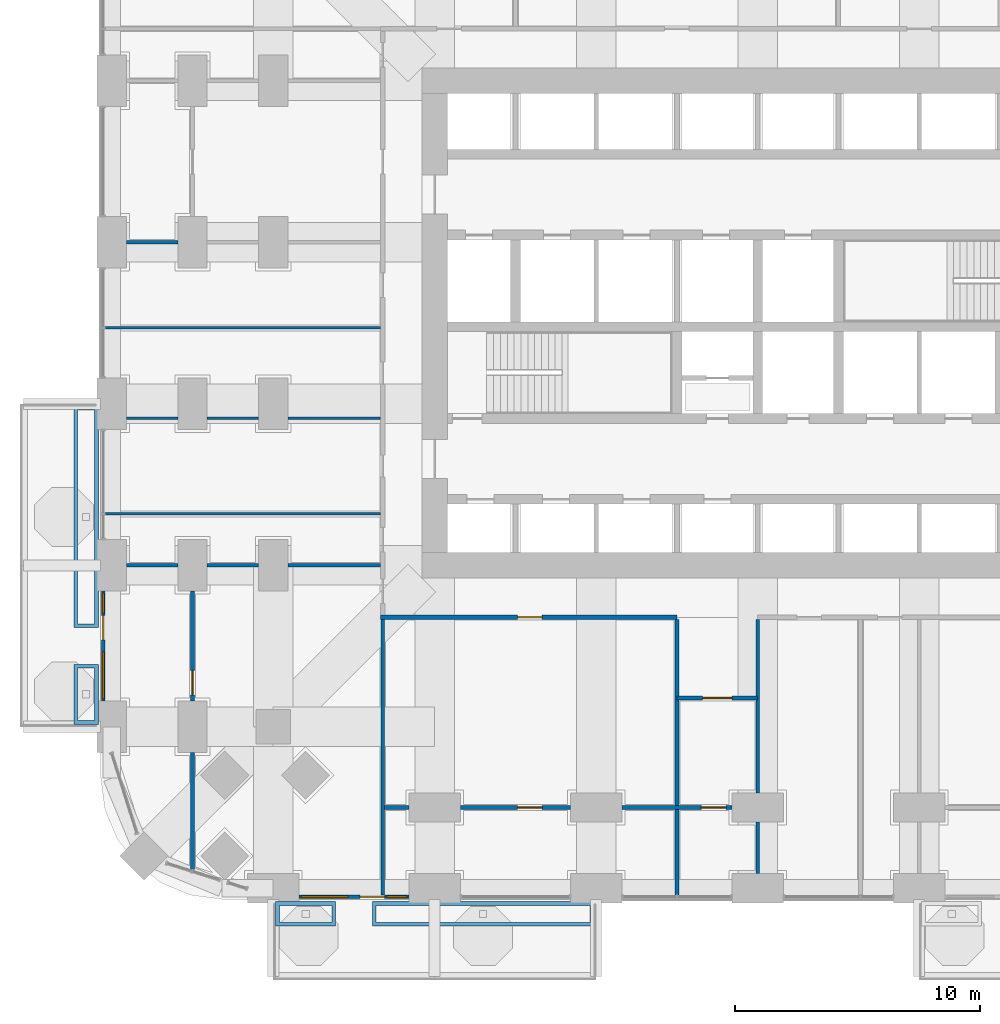
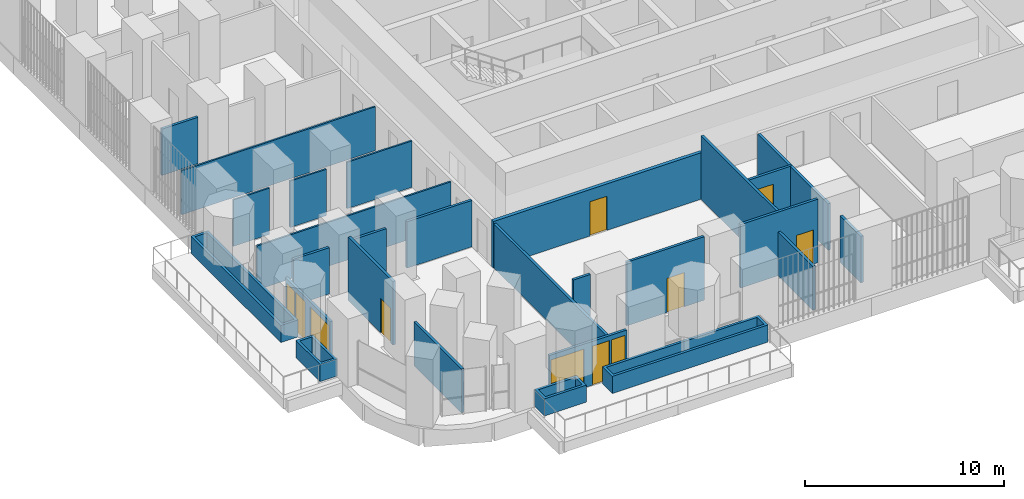
# One storey, part 18 of 27: 27 walls, 7 doors, 4 windows, 11 openings.
"""IFC4 building model written with IfcOpenShell, lengths in metres."""

import ifcopenshell
import ifcopenshell.guid

model = None  # the IFC model being written
_history = None  # IfcOwnerHistory: only IFC2X3 demands one
_inside = {}  # id of a spatial element -> (the spatial element, [elements in it])
_under = {}  # id of a project, library or spatial element -> (it, [spatial elements below it])
_declared = {}  # id of a project -> (the project, [libraries it declares])
_typed = {}  # id of a type object -> (the type object, [elements of that type])
_made_of = {}  # id of a material, layer set ... -> (it, [elements and type objects made of it])


def new_model(schema):
    """Start an empty IFC model of exactly this schema.

    Asked for "IFC4X3", IfcOpenShell would pick the latest addendum, in which some entities
    have other attributes; the version numbers below select the first issue.
    IFC2X3 requires an IfcOwnerHistory on every rooted entity: one is made here for all.
    """
    global model, _history
    if schema == "IFC4X3":
        model = ifcopenshell.file(schema_version=(4, 3, 0, 0))
    else:
        model = ifcopenshell.file(schema=schema)
    _inside.clear()
    _under.clear()
    _declared.clear()
    _typed.clear()
    _made_of.clear()
    _history = None
    if model.schema == "IFC2X3":
        org = make("IfcOrganization", Name="unknown")
        user = make(
            "IfcPersonAndOrganization",
            ThePerson=make("IfcPerson", FamilyName="unknown"),
            TheOrganization=org,
        )
        app = make(
            "IfcApplication",
            ApplicationDeveloper=org,
            Version="unknown",
            ApplicationFullName="unknown",
            ApplicationIdentifier="unknown",
        )
        _history = make(
            "IfcOwnerHistory",
            OwningUser=user,
            OwningApplication=app,
            ChangeAction="ADDED",
            CreationDate=0,
        )
    return model


def make(cls, **values):
    """One entity of the class cls with the attributes given. An attribute that is None is left unset."""
    return model.create_entity(
        cls, **{name: value for name, value in values.items() if value is not None}
    )


def rooted(cls, **values):
    """An entity with a GlobalId (a new one), such as an element, a storey or a relation."""
    return make(cls, GlobalId=ifcopenshell.guid.new(), OwnerHistory=_history, **values)


def si_unit(unit_type, name, prefix=None):
    """IfcSIUnit, for example si_unit("LENGTHUNIT", "METRE", prefix="MILLI")."""
    return make("IfcSIUnit", UnitType=unit_type, Prefix=prefix, Name=name)


def assignment(units):
    """IfcUnitAssignment: the units of a project."""
    return None if units is None else make("IfcUnitAssignment", Units=units)


def point(xyz):
    """IfcCartesianPoint."""
    return None if xyz is None else make("IfcCartesianPoint", Coordinates=xyz)


def direction(xyz):
    """IfcDirection."""
    return None if xyz is None else make("IfcDirection", DirectionRatios=xyz)


def frame(location, z_axis=None, x_axis=None):
    """IfcAxis2Placement3D, a coordinate frame: its origin and axes. An axis left out is left unset."""
    return make(
        "IfcAxis2Placement3D",
        Location=point(location),
        Axis=direction(z_axis),
        RefDirection=direction(x_axis),
    )


def frame_2d(location, x_axis=None):
    """IfcAxis2Placement2D, a coordinate frame in the plane: its origin and x axis."""
    return make(
        "IfcAxis2Placement2D", Location=point(location), RefDirection=direction(x_axis)
    )


def origin():
    """The frame at (0, 0, 0) with its axes left unset."""
    return frame((0.0, 0.0, 0.0))


def place(relative_to, where):
    """IfcLocalPlacement: puts the frame where relative to a parent placement (None: the world)."""
    return make(
        "IfcLocalPlacement", PlacementRelTo=relative_to, RelativePlacement=where
    )


def context(
    kind, dimensions, precision=None, world=None, true_north=None, identifier=None
):
    """IfcGeometricRepresentationContext, for example the 3D "Model" context."""
    return make(
        "IfcGeometricRepresentationContext",
        ContextIdentifier=identifier,
        ContextType=kind,
        CoordinateSpaceDimension=dimensions,
        Precision=precision,
        WorldCoordinateSystem=world,
        TrueNorth=true_north,
    )


def subcontext(parent, identifier, kind, view, scale=None):
    """IfcGeometricRepresentationSubContext, for example "Body" below "Model"."""
    return make(
        "IfcGeometricRepresentationSubContext",
        ContextIdentifier=identifier,
        ContextType=kind,
        ParentContext=parent,
        TargetScale=scale,
        TargetView=view,
    )


def project(units=None, contexts=None):
    """IfcProject with its units and contexts."""
    return rooted(
        "IfcProject",
        Name="project",
        RepresentationContexts=contexts,
        UnitsInContext=assignment(units),
    )


def spatial(cls, under=None, at=None, **own):
    """A site, building, storey or space (cls), placed at a placement, below another one or the project."""
    s = rooted(cls, ObjectPlacement=at, **own)
    if under is not None:
        _under.setdefault(under.id(), (under, []))[1].append(s)
    return s


def polyline(points):
    """IfcPolyline through the points."""
    return make("IfcPolyline", Points=[point(p) for p in points])


def profile(cls, at=None, kind="AREA", **sizes):
    """A parametric profile (cls). Its sizes go by their IFC names, for example OverallWidth=200.0."""
    return make(cls, ProfileType=kind, Position=at, **sizes)


def rectangle(**sizes):
    """IfcRectangleProfileDef."""
    return profile("IfcRectangleProfileDef", **sizes)


def outline(outer, holes=None, kind="AREA"):
    """IfcArbitraryClosedProfileDef: a profile drawn as a closed curve; with holes, ...WithVoids."""
    if holes is None:
        return make("IfcArbitraryClosedProfileDef", ProfileType=kind, OuterCurve=outer)
    return make(
        "IfcArbitraryProfileDefWithVoids",
        ProfileType=kind,
        OuterCurve=outer,
        InnerCurves=holes,
    )


def extrude(swept, where, along, depth):
    """IfcExtrudedAreaSolid: the profile swept, set in the frame where, extruded along a direction by depth."""
    return make(
        "IfcExtrudedAreaSolid",
        SweptArea=swept,
        Position=where,
        ExtrudedDirection=direction(along),
        Depth=depth,
    )


def shape(context_of_items, identifier, shape_type, items):
    """IfcShapeRepresentation: the items that make up one representation, for example the "Body"."""
    return make(
        "IfcShapeRepresentation",
        ContextOfItems=context_of_items,
        RepresentationIdentifier=identifier,
        RepresentationType=shape_type,
        Items=items,
    )


def material(Name=None, Category=None):
    """IfcMaterial."""
    return make("IfcMaterial", Name=Name, Category=Category)


def layer(
    of_material, thickness, ventilated=None, Name=None, Category=None, Priority=None
):
    """IfcMaterialLayer: one layer of a wall or slab, of a material (None: an air gap)."""
    return make(
        "IfcMaterialLayer",
        Material=of_material,
        LayerThickness=thickness,
        IsVentilated=ventilated,
        Name=Name,
        Category=Category,
        Priority=Priority,
    )


def layer_set(layers, Name=None):
    """IfcMaterialLayerSet."""
    return make("IfcMaterialLayerSet", MaterialLayers=layers, LayerSetName=Name)


def made_of(thing, what):
    """Note that an element or type object is made of a material, layer set ...; save() writes the relation."""
    if what is not None:
        _made_of.setdefault(what.id(), (what, []))[1].append(thing)
    return thing


def type_object(cls, material=None, **own):
    """A type object (cls), such as IfcWallType, which elements share."""
    return made_of(rooted(cls, **own), material)


def element(
    cls,
    number,
    at=None,
    inside=None,
    cuts=None,
    type_object=None,
    material=None,
    context=None,
    identifier="Body",
    shape_type=None,
    held_by="IfcProductDefinitionShape",
    body=None,
    shapes=None,
    **own,
):
    """One element of the class cls, such as IfcWall. Its Tag is "e" and its number.

    at: its placement. inside: the storey or other place that contains it. cuts: it is an
    opening in that element (IfcRelVoidsElement). A single representation is given by context,
    identifier, shape_type and body (its items); several are given by shapes. held_by: the class
    of the entity that holds the representations. save() writes the other relations.
    """
    e = rooted(cls, Tag="e%d" % number, ObjectPlacement=at, **own)
    if body is not None:
        shapes = [shape(context, identifier, shape_type, body)]
    if shapes is not None:
        e.Representation = make(held_by, Representations=shapes)
    if inside is not None:
        _inside.setdefault(inside.id(), (inside, []))[1].append(e)
    if cuts is not None:
        rooted(
            "IfcRelVoidsElement", RelatingBuildingElement=cuts, RelatedOpeningElement=e
        )
    if type_object is not None:
        _typed.setdefault(type_object.id(), (type_object, []))[1].append(e)
    return made_of(e, material)


def fill(opening, filler):
    """IfcRelFillsElement: the door or window that sits in an opening."""
    return rooted(
        "IfcRelFillsElement",
        RelatingOpeningElement=opening,
        RelatedBuildingElement=filler,
    )


def aggregate(whole, parts):
    """IfcRelAggregates: a whole, such as a stair, and the parts it consists of."""
    return rooted("IfcRelAggregates", RelatingObject=whole, RelatedObjects=parts)


def save(model, path):
    """Write the relations noted so far, then the file.

    IfcRelAggregates (storeys below a building ...), IfcRelContainedInSpatialStructure (elements
    in a storey), IfcRelDefinesByType, IfcRelAssociatesMaterial and IfcRelDeclares: one each for
    every whole, place, type object, material and project.
    """
    for whole, parts in _under.values():
        aggregate(whole, parts)
    for where, things in _inside.values():
        rooted(
            "IfcRelContainedInSpatialStructure",
            RelatedElements=things,
            RelatingStructure=where,
        )
    for kind, things in _typed.values():
        rooted("IfcRelDefinesByType", RelatedObjects=things, RelatingType=kind)
    for what, things in _made_of.values():
        rooted("IfcRelAssociatesMaterial", RelatedObjects=things, RelatingMaterial=what)
    for by, libraries in _declared.values():
        rooted("IfcRelDeclares", RelatingContext=by, RelatedDefinitions=libraries)
    model.write(path)


model = new_model("IFC4")

# Units and contexts
model_context = context("Model", 3, precision=1e-05, world=origin(), true_north=direction((0.0, 1.0)))
body_context = subcontext(model_context, "Body", "Model", "MODEL_VIEW")
ifc_project = project(units=[si_unit("LENGTHUNIT", "METRE"), si_unit("AREAUNIT", "SQUARE_METRE"), si_unit("VOLUMEUNIT", "CUBIC_METRE"), si_unit("PLANEANGLEUNIT", "RADIAN"), si_unit("MASSUNIT", "GRAM", prefix="KILO")], contexts=[model_context])

# Site, building, storey
site_placement = place(None, origin())
site = spatial("IfcSite", under=ifc_project, at=site_placement, CompositionType="ELEMENT")
building_placement = place(site_placement, origin())
building = spatial("IfcBuilding", under=site, at=building_placement, Name="Cobogo Forest Laboratory Tower", CompositionType="ELEMENT")
storey_placement = place(building_placement, frame((0.0, 0.0, 54.89990234375)))
storey = spatial("IfcBuildingStorey", under=building, at=storey_placement, Name="L12", CompositionType="ELEMENT", Elevation=54.89990234375)

# Wall, openings, door, windows
ifc_material_1 = material(Name="Aluminium framed glazed screen", Category="aluminium")
ifc_layer_1 = layer(ifc_material_1, 0.14990234375)
ifc_layer_set_1 = layer_set([ifc_layer_1], Name="GS1 glazed door screen 150")
wall_type_1 = type_object("IfcWallType", Name="GS1 glazed door screen 150", PredefinedType="SOLIDWALL", material=ifc_layer_set_1)
wall_1_placement = place(storey_placement, frame((7.64990234375, -0.35009765625, 0.0), z_axis=(0.0, 0.0, 1.0), x_axis=(1.0, 0.0, 0.0)))
wall_1 = element("IfcWall", 1, at=wall_1_placement, inside=storey, type_object=wall_type_1, Name="Door screen BAL-S1 L12", PredefinedType="SOLIDWALL", context=body_context, shape_type="SweptSolid", body=[
    extrude(rectangle(XDim=4.5, YDim=0.14990234375, at=frame_2d((2.25, 0.0))), origin(), (0.0, 0.0, 1.0), 2.7001953125),
])
opening_1_placement = place(wall_1_placement, frame((2.5, 0.0, 0.0)))
opening_1 = element("IfcOpeningElement", 2, at=opening_1_placement, cuts=wall_1, Name="Opening L12-D01", PredefinedType="OPENING", context=body_context, shape_type="SweptSolid", body=[
    extrude(rectangle(XDim=1.0, YDim=2.39990234375, at=frame_2d((0.5, 1.199951171875))), frame((0.0, 0.0849609375, 0.0), z_axis=(0.0, -1.0, 0.0), x_axis=(1.0, 0.0, 0.0)), (0.0, 0.0, 1.0), 0.169921875),
])
opening_2_placement = place(wall_1_placement, frame((0.10009765625, 0.0, 0.10009765625)))
opening_2 = element("IfcOpeningElement", 3, at=opening_2_placement, cuts=wall_1, Name="Opening L12-W01", PredefinedType="OPENING", context=body_context, shape_type="SweptSolid", body=[
    extrude(rectangle(XDim=1.89990234375, YDim=2.300048828125, at=frame_2d((0.949951171875, 1.14990234375))), frame((0.0, 0.0849609375, 0.0), z_axis=(0.0, -1.0, 0.0), x_axis=(1.0, 0.0, 0.0)), (0.0, 0.0, 1.0), 0.169921875),
])
opening_3_placement = place(wall_1_placement, frame((3.60009765625, 0.0, 0.10009765625)))
opening_3 = element("IfcOpeningElement", 4, at=opening_3_placement, cuts=wall_1, Name="Opening L12-W02", PredefinedType="OPENING", context=body_context, shape_type="SweptSolid", body=[
    extrude(rectangle(XDim=0.800048828125, YDim=2.300048828125, at=frame_2d((0.39990234375, 1.14990234375))), frame((0.0, 0.0849609375, 0.0), z_axis=(0.0, -1.0, 0.0), x_axis=(1.0, 0.0, 0.0)), (0.0, 0.0, 1.0), 0.169921875),
])
ifc_material_2 = material(Name="Aluminium glazed door", Category="aluminium")
door_type_1 = type_object("IfcDoorType", Name="DB1 balcony door 1000 glazed", OperationType="SINGLE_SWING_LEFT", PredefinedType="DOOR", material=ifc_material_2)
door_1_placement = place(opening_1_placement, origin())
door_1 = element("IfcDoor", 5, at=door_1_placement, inside=storey, type_object=door_type_1, Name="Door L12-BAL-S1", OperationType="SINGLE_SWING_RIGHT", OverallHeight=2.39990234375, OverallWidth=1.0, PredefinedType="DOOR", context=body_context, shape_type="SweptSolid", body=[
    extrude(rectangle(XDim=1.0, YDim=2.39990234375, at=frame_2d((0.5, 1.199951171875))), frame((0.0, 0.02490234375, 0.0), z_axis=(0.0, -1.0, 0.0), x_axis=(1.0, 0.0, 0.0)), (0.0, 0.0, 1.0), 0.050048828125),
])
fill(opening_1, door_1)
ifc_material_3 = material(Name="Aluminium framed glazing", Category="aluminium")
window_type_1 = type_object("IfcWindowType", Name="WG3 fixed glazed light 1900x2300", PartitioningType="SINGLE_PANEL", PredefinedType="WINDOW", material=ifc_material_3)
window_1_placement = place(opening_2_placement, origin())
window_1 = element("IfcWindow", 6, at=window_1_placement, inside=storey, type_object=window_type_1, Name="Window L12-BAL-S1-1", OverallHeight=2.300048828125, OverallWidth=1.89990234375, PartitioningType="SINGLE_PANEL", PredefinedType="WINDOW", context=body_context, shape_type="SweptSolid", body=[
    extrude(rectangle(XDim=1.89990234375, YDim=2.300048828125, at=frame_2d((0.949951171875, 1.14990234375))), frame((0.0, 0.030029296875, 0.0), z_axis=(0.0, -1.0, 0.0), x_axis=(1.0, 0.0, 0.0)), (0.0, 0.0, 1.0), 0.06005859375),
])
fill(opening_2, window_1)
window_type_2 = type_object("IfcWindowType", Name="WG4 fixed glazed light 800x2300", PartitioningType="SINGLE_PANEL", PredefinedType="WINDOW", material=ifc_material_3)
window_2_placement = place(opening_3_placement, origin())
window_2 = element("IfcWindow", 7, at=window_2_placement, inside=storey, type_object=window_type_2, Name="Window L12-BAL-S1-2", OverallHeight=2.300048828125, OverallWidth=0.800048828125, PartitioningType="SINGLE_PANEL", PredefinedType="WINDOW", context=body_context, shape_type="SweptSolid", body=[
    extrude(rectangle(XDim=0.800048828125, YDim=2.300048828125, at=frame_2d((0.39990234375, 1.14990234375))), frame((0.0, 0.030029296875, 0.0), z_axis=(0.0, -1.0, 0.0), x_axis=(1.0, 0.0, 0.0)), (0.0, 0.0, 1.0), 0.06005859375),
])
fill(opening_3, window_2)

wall_2_placement = place(storey_placement, frame((-0.35009765625, 12.14990234375, 0.0), z_axis=(0.0, 0.0, 1.0), x_axis=(0.0, -1.0, 0.0)))
wall_2 = element("IfcWall", 8, at=wall_2_placement, inside=storey, type_object=wall_type_1, Name="Door screen BAL-W1 L12", PredefinedType="SOLIDWALL", context=body_context, shape_type="SweptSolid", body=[
    extrude(rectangle(XDim=4.5, YDim=0.14990234375, at=frame_2d((2.25, 0.0))), origin(), (0.0, 0.0, 1.0), 2.7001953125),
])
opening_4_placement = place(wall_2_placement, frame((1.0, 0.0, 0.0)))
opening_4 = element("IfcOpeningElement", 9, at=opening_4_placement, cuts=wall_2, Name="Opening L12-D08", PredefinedType="OPENING", context=body_context, shape_type="SweptSolid", body=[
    extrude(rectangle(XDim=1.0, YDim=2.39990234375, at=frame_2d((0.5, 1.199951171875))), frame((0.0, 0.0849609375, 0.0), z_axis=(0.0, -1.0, 0.0), x_axis=(1.0, 0.0, 0.0)), (0.0, 0.0, 1.0), 0.169921875),
])
opening_5_placement = place(wall_2_placement, frame((0.10009765625, 0.0, 0.10009765625)))
opening_5 = element("IfcOpeningElement", 10, at=opening_5_placement, cuts=wall_2, Name="Opening L12-W07", PredefinedType="OPENING", context=body_context, shape_type="SweptSolid", body=[
    extrude(rectangle(XDim=0.800048828125, YDim=2.300048828125, at=frame_2d((0.39990234375, 1.14990234375))), frame((0.0, 0.0849609375, 0.0), z_axis=(0.0, -1.0, 0.0), x_axis=(1.0, 0.0, 0.0)), (0.0, 0.0, 1.0), 0.169921875),
])
opening_6_placement = place(wall_2_placement, frame((2.5, 0.0, 0.10009765625)))
opening_6 = element("IfcOpeningElement", 11, at=opening_6_placement, cuts=wall_2, Name="Opening L12-W05", PredefinedType="OPENING", context=body_context, shape_type="SweptSolid", body=[
    extrude(rectangle(XDim=1.89990234375, YDim=2.300048828125, at=frame_2d((0.949951171875, 1.14990234375))), frame((0.0, 0.0849609375, 0.0), z_axis=(0.0, -1.0, 0.0), x_axis=(1.0, 0.0, 0.0)), (0.0, 0.0, 1.0), 0.169921875),
])
door_2_placement = place(opening_4_placement, origin())
door_2 = element("IfcDoor", 12, at=door_2_placement, inside=storey, type_object=door_type_1, Name="Door L12-BAL-W1", OperationType="SINGLE_SWING_LEFT", OverallHeight=2.39990234375, OverallWidth=1.0, PredefinedType="DOOR", context=body_context, shape_type="SweptSolid", body=[
    extrude(rectangle(XDim=1.0, YDim=2.39990234375, at=frame_2d((0.5, 1.199951171875))), frame((0.0, 0.02490234375, 0.0), z_axis=(0.0, -1.0, 0.0), x_axis=(1.0, 0.0, 0.0)), (0.0, 0.0, 1.0), 0.050048828125),
])
fill(opening_4, door_2)
window_3_placement = place(opening_6_placement, origin())
window_3 = element("IfcWindow", 13, at=window_3_placement, inside=storey, type_object=window_type_1, Name="Window L12-BAL-W1-2", OverallHeight=2.300048828125, OverallWidth=1.89990234375, PartitioningType="SINGLE_PANEL", PredefinedType="WINDOW", context=body_context, shape_type="SweptSolid", body=[
    extrude(rectangle(XDim=1.89990234375, YDim=2.300048828125, at=frame_2d((0.949951171875, 1.14990234375))), frame((0.0, 0.030029296875, 0.0), z_axis=(0.0, -1.0, 0.0), x_axis=(1.0, 0.0, 0.0)), (0.0, 0.0, 1.0), 0.06005859375),
])
fill(opening_6, window_3)
window_4_placement = place(opening_5_placement, origin())
window_4 = element("IfcWindow", 14, at=window_4_placement, inside=storey, type_object=window_type_2, Name="Window L12-BAL-W1-1", OverallHeight=2.300048828125, OverallWidth=0.800048828125, PartitioningType="SINGLE_PANEL", PredefinedType="WINDOW", context=body_context, shape_type="SweptSolid", body=[
    extrude(rectangle(XDim=0.800048828125, YDim=2.300048828125, at=frame_2d((0.39990234375, 1.14990234375))), frame((0.0, 0.030029296875, 0.0), z_axis=(0.0, -1.0, 0.0), x_axis=(1.0, 0.0, 0.0)), (0.0, 0.0, 1.0), 0.06005859375),
])
fill(opening_5, window_4)

# Walls
ifc_material_4 = material(Name="Gypsum board on steel studs", Category="steel")
ifc_layer_2 = layer(ifc_material_4, 0.14990234375)
ifc_layer_set_2 = layer_set([ifc_layer_2], Name="PT1 laboratory partition 150")
wall_type_2 = type_object("IfcWallType", Name="PT1 laboratory partition 150", PredefinedType="PARTITIONING", material=ifc_layer_set_2)
wall_3_placement = place(storey_placement, frame((11.074951171875, -0.27001953125, 0.0), z_axis=(0.0, 0.0, 1.0), x_axis=(0.0, 1.0, 0.0)))
element("IfcWall", 15, at=wall_3_placement, inside=storey, type_object=wall_type_2, Name="Partition PW-SW L12", PredefinedType="PARTITIONING", context=body_context, shape_type="SweptSolid", body=[
    extrude(rectangle(XDim=11.2451171875, YDim=0.14990234375, at=frame_2d((5.62255859375, 0.0))), origin(), (0.0, 0.0, 1.0), 2.7001953125),
])
wall_4_placement = place(storey_placement, frame((11.14990234375, 3.300048828125, 0.0), z_axis=(0.0, 0.0, 1.0), x_axis=(1.0, 0.0, 0.0)))
element("IfcWall", 16, at=wall_4_placement, inside=storey, type_object=wall_type_2, Name="Partition STRIP-S-1 L12", PredefinedType="PARTITIONING", context=body_context, shape_type="SweptSolid", body=[
    extrude(rectangle(XDim=1.0, YDim=0.14990234375, at=frame_2d((0.5, 0.0))), origin(), (0.0, 0.0, 1.0), 3.900146484375),
])

# Wall, opening, door
wall_5_placement = place(storey_placement, frame((14.25, 3.300048828125, 0.0), z_axis=(0.0, 0.0, 1.0), x_axis=(1.0, 0.0, 0.0)))
wall_5 = element("IfcWall", 17, at=wall_5_placement, inside=storey, type_object=wall_type_2, Name="Partition STRIP-S-2 L12", PredefinedType="PARTITIONING", context=body_context, shape_type="SweptSolid", body=[
    extrude(rectangle(XDim=4.5, YDim=0.14990234375, at=frame_2d((2.25, 0.0))), origin(), (0.0, 0.0, 1.0), 3.900146484375),
])
opening_7_placement = place(wall_5_placement, frame((2.33740234375, 0.0, 0.0)))
opening_7 = element("IfcOpeningElement", 18, at=opening_7_placement, cuts=wall_5, Name="Opening L12-D03", PredefinedType="OPENING", context=body_context, shape_type="SweptSolid", body=[
    extrude(rectangle(XDim=1.0, YDim=2.10009765625, at=frame_2d((0.5, 1.050048828125))), frame((0.0, 0.0849609375, 0.0), z_axis=(0.0, -1.0, 0.0), x_axis=(1.0, 0.0, 0.0)), (0.0, 0.0, 1.0), 0.169921875),
])
ifc_material_5 = material(Name="Timber fire door", Category="wood")
door_type_2 = type_object("IfcDoorType", Name="FD2 fire door 1000 EI2 30", OperationType="SINGLE_SWING_LEFT", PredefinedType="DOOR", material=ifc_material_5)
door_3_placement = place(opening_7_placement, origin())
door_3 = element("IfcDoor", 19, at=door_3_placement, inside=storey, type_object=door_type_2, Name="Door L12-S1W", OperationType="SINGLE_SWING_RIGHT", OverallHeight=2.10009765625, OverallWidth=1.0, PredefinedType="DOOR", context=body_context, shape_type="SweptSolid", body=[
    extrude(rectangle(XDim=1.0, YDim=2.10009765625, at=frame_2d((0.5, 1.050048828125))), frame((0.0, 0.02490234375, 0.0), z_axis=(0.0, -1.0, 0.0), x_axis=(1.0, 0.0, 0.0)), (0.0, 0.0, 1.0), 0.050048828125),
])
fill(opening_7, door_3)

wall_6_placement = place(storey_placement, frame((20.85009765625, 3.300048828125, 0.0), z_axis=(0.0, 0.0, 1.0), x_axis=(1.0, 0.0, 0.0)))
wall_6 = element("IfcWall", 20, at=wall_6_placement, inside=storey, type_object=wall_type_2, Name="Partition STRIP-S-3 L12", PredefinedType="PARTITIONING", context=body_context, shape_type="SweptSolid", body=[
    extrude(rectangle(XDim=4.5, YDim=0.14990234375, at=frame_2d((2.25, 0.0))), origin(), (0.0, 0.0, 1.0), 3.900146484375),
])
opening_8_placement = place(wall_6_placement, frame((3.25, 0.0, 0.0)))
opening_8 = element("IfcOpeningElement", 21, at=opening_8_placement, cuts=wall_6, Name="Opening L12-D04", PredefinedType="OPENING", context=body_context, shape_type="SweptSolid", body=[
    extrude(rectangle(XDim=1.0, YDim=2.10009765625, at=frame_2d((0.5, 1.050048828125))), frame((0.0, 0.0849609375, 0.0), z_axis=(0.0, -1.0, 0.0), x_axis=(1.0, 0.0, 0.0)), (0.0, 0.0, 1.0), 0.169921875),
])
door_4_placement = place(opening_8_placement, origin())
door_4 = element("IfcDoor", 22, at=door_4_placement, inside=storey, type_object=door_type_2, Name="Door L12-S2W", OperationType="SINGLE_SWING_RIGHT", OverallHeight=2.10009765625, OverallWidth=1.0, PredefinedType="DOOR", context=body_context, shape_type="SweptSolid", body=[
    extrude(rectangle(XDim=1.0, YDim=2.10009765625, at=frame_2d((0.5, 1.050048828125))), frame((0.0, 0.02490234375, 0.0), z_axis=(0.0, -1.0, 0.0), x_axis=(1.0, 0.0, 0.0)), (0.0, 0.0, 1.0), 0.050048828125),
])
fill(opening_8, door_4)

wall_7_placement = place(storey_placement, frame((23.10009765625, 7.77490234375, 0.0), z_axis=(0.0, 0.0, 1.0), x_axis=(1.0, 0.0, 0.0)))
wall_7 = element("IfcWall", 23, at=wall_7_placement, inside=storey, type_object=wall_type_2, Name="Partition NODE-S-1 L12", PredefinedType="PARTITIONING", context=body_context, shape_type="SweptSolid", body=[
    extrude(rectangle(XDim=3.2998046875, YDim=0.14990234375, at=frame_2d((1.64990234375, 0.0))), origin(), (0.0, 0.0, 1.0), 2.85009765625),
])
opening_9_placement = place(wall_7_placement, frame((1.050048828125, 0.0, 0.0)))
opening_9 = element("IfcOpeningElement", 24, at=opening_9_placement, cuts=wall_7, Name="Opening L12-D06", PredefinedType="OPENING", context=body_context, shape_type="SweptSolid", body=[
    extrude(rectangle(XDim=1.199951171875, YDim=2.10009765625, at=frame_2d((0.60009765625, 1.050048828125))), frame((0.0, 0.0849609375, 0.0), z_axis=(0.0, -1.0, 0.0), x_axis=(1.0, 0.0, 0.0)), (0.0, 0.0, 1.0), 0.169921875),
])
ifc_material_6 = material(Name="Timber door", Category="wood")
door_type_3 = type_object("IfcDoorType", Name="D2 laboratory door 1200 unequal pair", OperationType="DOUBLE_DOOR_SINGLE_SWING", PredefinedType="DOOR", material=ifc_material_6)
door_5_placement = place(opening_9_placement, origin())
door_5 = element("IfcDoor", 25, at=door_5_placement, inside=storey, type_object=door_type_3, Name="Door L12-S2", OperationType="DOUBLE_DOOR_SINGLE_SWING", OverallHeight=2.10009765625, OverallWidth=1.199951171875, PredefinedType="DOOR", context=body_context, shape_type="SweptSolid", body=[
    extrude(rectangle(XDim=1.199951171875, YDim=2.10009765625, at=frame_2d((0.60009765625, 1.050048828125))), frame((0.0, 0.02490234375, 0.0), z_axis=(0.0, -1.0, 0.0), x_axis=(1.0, 0.0, 0.0)), (0.0, 0.0, 1.0), 0.050048828125),
])
fill(opening_9, door_5)

# Walls
wall_8_placement = place(storey_placement, frame((23.10009765625, -0.27001953125, 0.0), z_axis=(0.0, 0.0, 1.0), x_axis=(0.0, 1.0, 0.0)))
element("IfcWall", 26, at=wall_8_placement, inside=storey, type_object=wall_type_2, Name="Partition CUT-S23.1a-1 L12", PredefinedType="PARTITIONING", context=body_context, shape_type="SweptSolid", body=[
    extrude(rectangle(XDim=3.4951171875, YDim=0.14990234375, at=frame_2d((1.74755859375, 0.0))), origin(), (0.0, 0.0, 1.0), 2.7001953125),
])
wall_9_placement = place(storey_placement, frame((23.10009765625, 3.375, 0.0), z_axis=(0.0, 0.0, 1.0), x_axis=(0.0, 1.0, 0.0)))
element("IfcWall", 27, at=wall_9_placement, inside=storey, type_object=wall_type_2, Name="Partition CUT-S23.1b-1 L12", PredefinedType="PARTITIONING", context=body_context, shape_type="SweptSolid", body=[
    extrude(rectangle(XDim=7.60009765625, YDim=0.14990234375, at=frame_2d((3.800048828125, 0.0))), origin(), (0.0, 0.0, 1.0), 3.900146484375),
])
wall_10_placement = place(storey_placement, frame((26.39990234375, 0.60009765625, 0.0), z_axis=(0.0, 0.0, 1.0), x_axis=(0.0, 1.0, 0.0)))
element("IfcWall", 28, at=wall_10_placement, inside=storey, type_object=wall_type_2, Name="Partition CUT-S26.4-1 L12", PredefinedType="PARTITIONING", context=body_context, shape_type="SweptSolid", body=[
    extrude(rectangle(XDim=2.099853515625, YDim=0.14990234375, at=frame_2d((1.0498046875, 0.0))), origin(), (0.0, 0.0, 1.0), 2.85009765625),
])
wall_11_placement = place(storey_placement, frame((26.39990234375, 3.89990234375, 0.0), z_axis=(0.0, 0.0, 1.0), x_axis=(0.0, 1.0, 0.0)))
element("IfcWall", 29, at=wall_11_placement, inside=storey, type_object=wall_type_2, Name="Partition CUT-S26.4-2 L12", PredefinedType="PARTITIONING", context=body_context, shape_type="SweptSolid", body=[
    extrude(rectangle(XDim=7.0751953125, YDim=0.14990234375, at=frame_2d((3.53759765625, 0.0))), origin(), (0.0, 0.0, 1.0), 2.85009765625),
])

# Wall, opening, door
wall_12_placement = place(storey_placement, frame((3.300048828125, 12.14990234375, 0.0), z_axis=(0.0, 0.0, 1.0), x_axis=(0.0, -1.0, 0.0)))
wall_12 = element("IfcWall", 30, at=wall_12_placement, inside=storey, type_object=wall_type_2, Name="Partition STRIP-W-2 L12", PredefinedType="PARTITIONING", context=body_context, shape_type="SweptSolid", body=[
    extrude(rectangle(XDim=4.5, YDim=0.14990234375, at=frame_2d((2.25, 0.0))), origin(), (0.0, 0.0, 1.0), 3.900146484375),
])
opening_10_placement = place(wall_12_placement, frame((3.25, 0.0, 0.0)))
opening_10 = element("IfcOpeningElement", 31, at=opening_10_placement, cuts=wall_12, Name="Opening L12-D07", PredefinedType="OPENING", context=body_context, shape_type="SweptSolid", body=[
    extrude(rectangle(XDim=1.0, YDim=2.10009765625, at=frame_2d((0.5, 1.050048828125))), frame((0.0, 0.0849609375, 0.0), z_axis=(0.0, -1.0, 0.0), x_axis=(1.0, 0.0, 0.0)), (0.0, 0.0, 1.0), 0.169921875),
])
door_6_placement = place(opening_10_placement, origin())
door_6 = element("IfcDoor", 32, at=door_6_placement, inside=storey, type_object=door_type_2, Name="Door L12-W1W", OperationType="SINGLE_SWING_RIGHT", OverallHeight=2.10009765625, OverallWidth=1.0, PredefinedType="DOOR", context=body_context, shape_type="SweptSolid", body=[
    extrude(rectangle(XDim=1.0, YDim=2.10009765625, at=frame_2d((0.5, 1.050048828125))), frame((0.0, 0.02490234375, 0.0), z_axis=(0.0, -1.0, 0.0), x_axis=(1.0, 0.0, 0.0)), (0.0, 0.0, 1.0), 0.050048828125),
])
fill(opening_10, door_6)

# Walls
wall_13_placement = place(storey_placement, frame((3.300048828125, 5.550048828125, 0.0), z_axis=(0.0, 0.0, 1.0), x_axis=(0.0, -1.0, 0.0)))
element("IfcWall", 33, at=wall_13_placement, inside=storey, type_object=wall_type_2, Name="Partition STRIP-W-3 L12", PredefinedType="PARTITIONING", context=body_context, shape_type="SweptSolid", body=[
    extrude(rectangle(XDim=4.77392578125, YDim=0.14990234375, at=frame_2d((2.386962890625, 0.0))), origin(), (0.0, 0.0, 1.0), 2.7001953125),
])
wall_14_placement = place(storey_placement, frame((0.60009765625, 13.199951171875, 0.0), z_axis=(0.0, 0.0, 1.0), x_axis=(1.0, 0.0, 0.0)))
element("IfcWall", 34, at=wall_14_placement, inside=storey, type_object=wall_type_2, Name="Partition CUT-W13.2-1 L12", PredefinedType="PARTITIONING", context=body_context, shape_type="SweptSolid", body=[
    extrude(rectangle(XDim=2.099853515625, YDim=0.14990234375, at=frame_2d((1.0498046875, 0.0))), origin(), (0.0, 0.0, 1.0), 2.85009765625),
])
wall_15_placement = place(storey_placement, frame((3.89990234375, 13.199951171875, 0.0), z_axis=(0.0, 0.0, 1.0), x_axis=(1.0, 0.0, 0.0)))
element("IfcWall", 35, at=wall_15_placement, inside=storey, type_object=wall_type_2, Name="Partition CUT-W13.2-2 L12", PredefinedType="PARTITIONING", context=body_context, shape_type="SweptSolid", body=[
    extrude(rectangle(XDim=2.10009765625, YDim=0.14990234375, at=frame_2d((1.050048828125, 0.0))), origin(), (0.0, 0.0, 1.0), 2.85009765625),
])
wall_16_placement = place(storey_placement, frame((7.199951171875, 13.199951171875, 0.0), z_axis=(0.0, 0.0, 1.0), x_axis=(1.0, 0.0, 0.0)))
element("IfcWall", 36, at=wall_16_placement, inside=storey, type_object=wall_type_2, Name="Partition CUT-W13.2-3 L12", PredefinedType="PARTITIONING", context=body_context, shape_type="SweptSolid", body=[
    extrude(rectangle(XDim=3.775146484375, YDim=0.14990234375, at=frame_2d((1.8876953125, 0.0))), origin(), (0.0, 0.0, 1.0), 2.85009765625),
])
wall_17_placement = place(storey_placement, frame((0.60009765625, 26.39990234375, 0.0), z_axis=(0.0, 0.0, 1.0), x_axis=(1.0, 0.0, 0.0)))
element("IfcWall", 37, at=wall_17_placement, inside=storey, type_object=wall_type_2, Name="Partition CUT-W26.4-1 L12", PredefinedType="PARTITIONING", context=body_context, shape_type="SweptSolid", body=[
    extrude(rectangle(XDim=2.099853515625, YDim=0.14990234375, at=frame_2d((1.0498046875, 0.0))), origin(), (0.0, 0.0, 1.0), 2.85009765625),
])

# Wall, opening, door
ifc_layer_3 = layer(ifc_material_4, 0.199951171875)
ifc_layer_set_3 = layer_set([ifc_layer_3], Name="PT2 fire-rated corridor partition 200")
wall_type_3 = type_object("IfcWallType", Name="PT2 fire-rated corridor partition 200", PredefinedType="PARTITIONING", material=ifc_layer_set_3)
wall_18_placement = place(storey_placement, frame((10.97509765625, 11.074951171875, 0.0), z_axis=(0.0, 0.0, 1.0), x_axis=(1.0, 0.0, 0.0)))
wall_18 = element("IfcWall", 38, at=wall_18_placement, inside=storey, type_object=wall_type_3, Name="Partition CORR-S-1 L12", PredefinedType="PARTITIONING", context=body_context, shape_type="SweptSolid", body=[
    extrude(rectangle(XDim=12.125, YDim=0.199951171875, at=frame_2d((6.0625, 0.0))), origin(), (0.0, 0.0, 1.0), 2.85009765625),
])
opening_11_placement = place(wall_18_placement, frame((5.612548828125, 0.0, 0.0)))
opening_11 = element("IfcOpeningElement", 39, at=opening_11_placement, cuts=wall_18, Name="Opening L12-D10", PredefinedType="OPENING", context=body_context, shape_type="SweptSolid", body=[
    extrude(rectangle(XDim=1.0, YDim=2.10009765625, at=frame_2d((0.5, 1.050048828125))), frame((0.0, 0.10986328125, 0.0), z_axis=(0.0, -1.0, 0.0), x_axis=(1.0, 0.0, 0.0)), (0.0, 0.0, 1.0), 0.219970703125),
])
door_7_placement = place(opening_11_placement, origin())
door_7 = element("IfcDoor", 40, at=door_7_placement, inside=storey, type_object=door_type_2, Name="Door L12-S1", OperationType="SINGLE_SWING_RIGHT", OverallHeight=2.10009765625, OverallWidth=1.0, PredefinedType="DOOR", context=body_context, shape_type="SweptSolid", body=[
    extrude(rectangle(XDim=1.0, YDim=2.10009765625, at=frame_2d((0.5, 1.050048828125))), frame((0.0, 0.02490234375, 0.0), z_axis=(0.0, -1.0, 0.0), x_axis=(1.0, 0.0, 0.0)), (0.0, 0.0, 1.0), 0.050048828125),
])
fill(opening_11, door_7)

# Walls
ifc_layer_4 = layer(ifc_material_4, 0.10009765625)
ifc_layer_set_4 = layer_set([ifc_layer_4], Name="PT3 toilet partition 100")
wall_type_4 = type_object("IfcWallType", Name="PT3 toilet partition 100", PredefinedType="PARTITIONING", material=ifc_layer_set_4)
wall_19_placement = place(storey_placement, frame((-0.27001953125, 15.300048828125, 0.0), z_axis=(0.0, 0.0, 1.0), x_axis=(1.0, 0.0, 0.0)))
element("IfcWall", 41, at=wall_19_placement, inside=storey, type_object=wall_type_4, Name="Partition SVC-W1-1 L12", PredefinedType="PARTITIONING", context=body_context, shape_type="SweptSolid", body=[
    extrude(rectangle(XDim=11.2451171875, YDim=0.10009765625, at=frame_2d((5.62255859375, 0.0))), origin(), (0.0, 0.0, 1.0), 2.7001953125),
])
wall_20_placement = place(storey_placement, frame((0.60009765625, 19.199951171875, 0.0), z_axis=(0.0, 0.0, 1.0), x_axis=(1.0, 0.0, 0.0)))
element("IfcWall", 42, at=wall_20_placement, inside=storey, type_object=wall_type_4, Name="Partition SVC-W2-1 L12", PredefinedType="PARTITIONING", context=body_context, shape_type="SweptSolid", body=[
    extrude(rectangle(XDim=2.099853515625, YDim=0.10009765625, at=frame_2d((1.0498046875, 0.0))), origin(), (0.0, 0.0, 1.0), 2.85009765625),
])
wall_21_placement = place(storey_placement, frame((3.89990234375, 19.199951171875, 0.0), z_axis=(0.0, 0.0, 1.0), x_axis=(1.0, 0.0, 0.0)))
element("IfcWall", 43, at=wall_21_placement, inside=storey, type_object=wall_type_4, Name="Partition SVC-W2-2 L12", PredefinedType="PARTITIONING", context=body_context, shape_type="SweptSolid", body=[
    extrude(rectangle(XDim=2.10009765625, YDim=0.10009765625, at=frame_2d((1.050048828125, 0.0))), origin(), (0.0, 0.0, 1.0), 2.85009765625),
])
wall_22_placement = place(storey_placement, frame((7.199951171875, 19.199951171875, 0.0), z_axis=(0.0, 0.0, 1.0), x_axis=(1.0, 0.0, 0.0)))
element("IfcWall", 44, at=wall_22_placement, inside=storey, type_object=wall_type_4, Name="Partition SVC-W2-3 L12", PredefinedType="PARTITIONING", context=body_context, shape_type="SweptSolid", body=[
    extrude(rectangle(XDim=3.775146484375, YDim=0.10009765625, at=frame_2d((1.8876953125, 0.0))), origin(), (0.0, 0.0, 1.0), 2.85009765625),
])
wall_23_placement = place(storey_placement, frame((-0.27001953125, 22.89990234375, 0.0), z_axis=(0.0, 0.0, 1.0), x_axis=(1.0, 0.0, 0.0)))
element("IfcWall", 45, at=wall_23_placement, inside=storey, type_object=wall_type_4, Name="Partition SVC-W3-1 L12", PredefinedType="PARTITIONING", context=body_context, shape_type="SweptSolid", body=[
    extrude(rectangle(XDim=11.2451171875, YDim=0.10009765625, at=frame_2d((5.62255859375, 0.0))), origin(), (0.0, 0.0, 1.0), 2.7001953125),
])
ifc_material_7 = material(Name="Concrete HA-40 (C40/50)", Category="concrete")
ifc_layer_5 = layer(ifc_material_7, 0.14990234375)
ifc_layer_set_5 = layer_set([ifc_layer_5], Name="Planter box 1000x1050")
wall_type_5 = type_object("IfcWallType", Name="Planter box 1000x1050", PredefinedType="USERDEFINED", material=ifc_layer_set_5)
wall_24_placement = place(storey_placement, origin())
element("IfcWall", 46, at=wall_24_placement, inside=storey, type_object=wall_type_5, Name="Planter BAL-S1-1 L12", ObjectType="PLANTER", PredefinedType="USERDEFINED", context=body_context, shape_type="SweptSolid", body=[
    extrude(outline(polyline([(6.699951171875, -1.550048828125), (9.14990234375, -1.550048828125), (9.14990234375, -0.550048828125), (6.699951171875, -0.550048828125), (6.699951171875, -1.550048828125)]), holes=[polyline([(6.85009765625, -1.39990234375), (9.0, -1.39990234375), (9.0, -0.699951171875), (6.85009765625, -0.699951171875), (6.85009765625, -1.39990234375)])]), origin(), (0.0, 0.0, 1.0), 1.050048828125),
])
wall_25_placement = place(storey_placement, origin())
element("IfcWall", 47, at=wall_25_placement, inside=storey, type_object=wall_type_5, Name="Planter BAL-S1-2 L12", ObjectType="PLANTER", PredefinedType="USERDEFINED", context=body_context, shape_type="SweptSolid", body=[
    extrude(outline(polyline([(10.64990234375, -1.550048828125), (19.699951171875, -1.550048828125), (19.699951171875, -0.550048828125), (10.64990234375, -0.550048828125), (10.64990234375, -1.550048828125)]), holes=[polyline([(10.800048828125, -1.39990234375), (19.550048828125, -1.39990234375), (19.550048828125, -0.699951171875), (10.800048828125, -0.699951171875), (10.800048828125, -1.39990234375)])]), origin(), (0.0, 0.0, 1.0), 1.050048828125),
])
wall_26_placement = place(storey_placement, origin())
element("IfcWall", 48, at=wall_26_placement, inside=storey, type_object=wall_type_5, Name="Planter BAL-W1-1 L12", ObjectType="PLANTER", PredefinedType="USERDEFINED", context=body_context, shape_type="SweptSolid", body=[
    extrude(outline(polyline([(-1.550048828125, 6.699951171875), (-0.550048828125, 6.699951171875), (-0.550048828125, 9.14990234375), (-1.550048828125, 9.14990234375), (-1.550048828125, 6.699951171875)]), holes=[polyline([(-1.39990234375, 6.85009765625), (-0.699951171875, 6.85009765625), (-0.699951171875, 9.0), (-1.39990234375, 9.0), (-1.39990234375, 6.85009765625)])]), origin(), (0.0, 0.0, 1.0), 1.050048828125),
])
wall_27_placement = place(storey_placement, origin())
element("IfcWall", 49, at=wall_27_placement, inside=storey, type_object=wall_type_5, Name="Planter BAL-W1-2 L12", ObjectType="PLANTER", PredefinedType="USERDEFINED", context=body_context, shape_type="SweptSolid", body=[
    extrude(outline(polyline([(-1.550048828125, 10.64990234375), (-0.550048828125, 10.64990234375), (-0.550048828125, 19.699951171875), (-1.550048828125, 19.699951171875), (-1.550048828125, 10.64990234375)]), holes=[polyline([(-1.39990234375, 10.800048828125), (-0.699951171875, 10.800048828125), (-0.699951171875, 19.550048828125), (-1.39990234375, 19.550048828125), (-1.39990234375, 10.800048828125)])]), origin(), (0.0, 0.0, 1.0), 1.050048828125),
])

save(model, "model.ifc")
